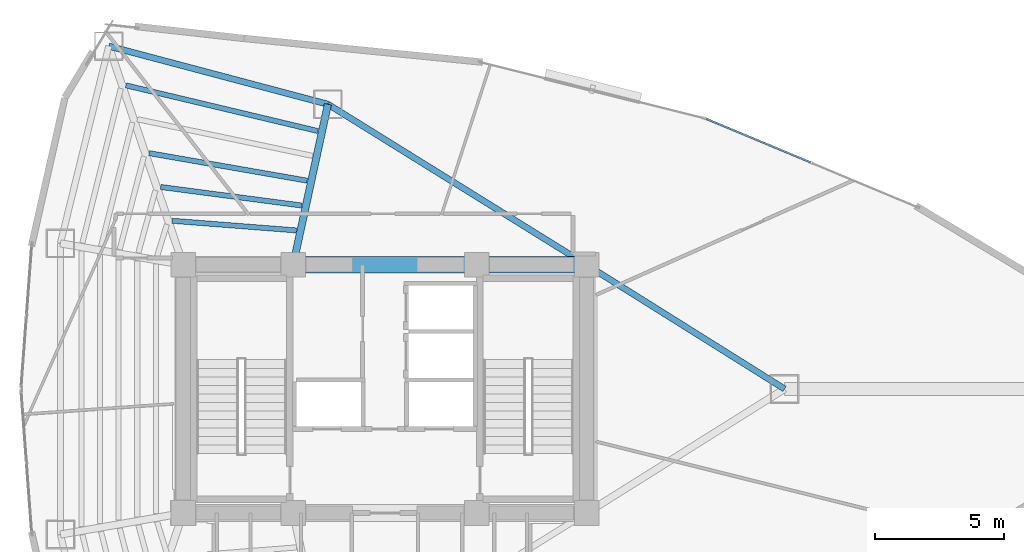
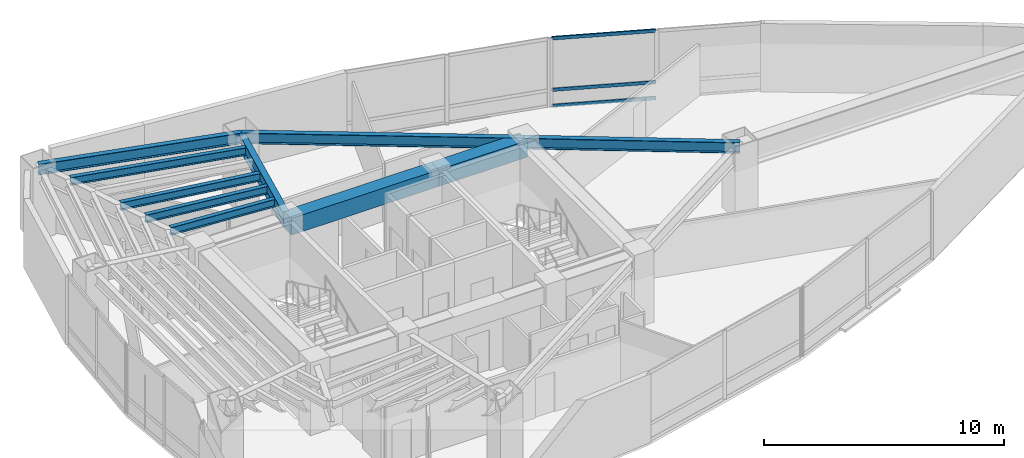
# One storey, part 8 of 18: 10 beams, 3 members, 1 element without a shape of its own.
"""IFC4 building model written with IfcOpenShell, lengths in metres."""

import ifcopenshell
import ifcopenshell.guid

model = None  # the IFC model being written
_history = None  # IfcOwnerHistory: only IFC2X3 demands one
_inside = {}  # id of a spatial element -> (the spatial element, [elements in it])
_under = {}  # id of a project, library or spatial element -> (it, [spatial elements below it])
_declared = {}  # id of a project -> (the project, [libraries it declares])
_typed = {}  # id of a type object -> (the type object, [elements of that type])
_made_of = {}  # id of a material, layer set ... -> (it, [elements and type objects made of it])


def new_model(schema):
    """Start an empty IFC model of exactly this schema.

    Asked for "IFC4X3", IfcOpenShell would pick the latest addendum, in which some entities
    have other attributes; the version numbers below select the first issue.
    IFC2X3 requires an IfcOwnerHistory on every rooted entity: one is made here for all.
    """
    global model, _history
    if schema == "IFC4X3":
        model = ifcopenshell.file(schema_version=(4, 3, 0, 0))
    else:
        model = ifcopenshell.file(schema=schema)
    _inside.clear()
    _under.clear()
    _declared.clear()
    _typed.clear()
    _made_of.clear()
    _history = None
    if model.schema == "IFC2X3":
        org = make("IfcOrganization", Name="unknown")
        user = make(
            "IfcPersonAndOrganization",
            ThePerson=make("IfcPerson", FamilyName="unknown"),
            TheOrganization=org,
        )
        app = make(
            "IfcApplication",
            ApplicationDeveloper=org,
            Version="unknown",
            ApplicationFullName="unknown",
            ApplicationIdentifier="unknown",
        )
        _history = make(
            "IfcOwnerHistory",
            OwningUser=user,
            OwningApplication=app,
            ChangeAction="ADDED",
            CreationDate=0,
        )
    return model


def make(cls, **values):
    """One entity of the class cls with the attributes given. An attribute that is None is left unset."""
    return model.create_entity(
        cls, **{name: value for name, value in values.items() if value is not None}
    )


def rooted(cls, **values):
    """An entity with a GlobalId (a new one), such as an element, a storey or a relation."""
    return make(cls, GlobalId=ifcopenshell.guid.new(), OwnerHistory=_history, **values)


def si_unit(unit_type, name, prefix=None):
    """IfcSIUnit, for example si_unit("LENGTHUNIT", "METRE", prefix="MILLI")."""
    return make("IfcSIUnit", UnitType=unit_type, Prefix=prefix, Name=name)


def assignment(units):
    """IfcUnitAssignment: the units of a project."""
    return None if units is None else make("IfcUnitAssignment", Units=units)


def point(xyz):
    """IfcCartesianPoint."""
    return None if xyz is None else make("IfcCartesianPoint", Coordinates=xyz)


def direction(xyz):
    """IfcDirection."""
    return None if xyz is None else make("IfcDirection", DirectionRatios=xyz)


def frame(location, z_axis=None, x_axis=None):
    """IfcAxis2Placement3D, a coordinate frame: its origin and axes. An axis left out is left unset."""
    return make(
        "IfcAxis2Placement3D",
        Location=point(location),
        Axis=direction(z_axis),
        RefDirection=direction(x_axis),
    )


def frame_2d(location, x_axis=None):
    """IfcAxis2Placement2D, a coordinate frame in the plane: its origin and x axis."""
    return make(
        "IfcAxis2Placement2D", Location=point(location), RefDirection=direction(x_axis)
    )


def origin():
    """The frame at (0, 0, 0) with its axes left unset."""
    return frame((0.0, 0.0, 0.0))


def origin_2d():
    """The frame at (0, 0) in the plane with its x axis left unset."""
    return frame_2d((0.0, 0.0))


def place(relative_to, where):
    """IfcLocalPlacement: puts the frame where relative to a parent placement (None: the world)."""
    return make(
        "IfcLocalPlacement", PlacementRelTo=relative_to, RelativePlacement=where
    )


def context(
    kind, dimensions, precision=None, world=None, true_north=None, identifier=None
):
    """IfcGeometricRepresentationContext, for example the 3D "Model" context."""
    return make(
        "IfcGeometricRepresentationContext",
        ContextIdentifier=identifier,
        ContextType=kind,
        CoordinateSpaceDimension=dimensions,
        Precision=precision,
        WorldCoordinateSystem=world,
        TrueNorth=true_north,
    )


def subcontext(parent, identifier, kind, view, scale=None):
    """IfcGeometricRepresentationSubContext, for example "Body" below "Model"."""
    return make(
        "IfcGeometricRepresentationSubContext",
        ContextIdentifier=identifier,
        ContextType=kind,
        ParentContext=parent,
        TargetScale=scale,
        TargetView=view,
    )


def project(units=None, contexts=None):
    """IfcProject with its units and contexts."""
    return rooted(
        "IfcProject",
        Name="project",
        RepresentationContexts=contexts,
        UnitsInContext=assignment(units),
    )


def spatial(cls, under=None, at=None, **own):
    """A site, building, storey or space (cls), placed at a placement, below another one or the project."""
    s = rooted(cls, ObjectPlacement=at, **own)
    if under is not None:
        _under.setdefault(under.id(), (under, []))[1].append(s)
    return s


def profile(cls, at=None, kind="AREA", **sizes):
    """A parametric profile (cls). Its sizes go by their IFC names, for example OverallWidth=200.0."""
    return make(cls, ProfileType=kind, Position=at, **sizes)


def rectangle(**sizes):
    """IfcRectangleProfileDef."""
    return profile("IfcRectangleProfileDef", **sizes)


def hollow_rectangle(**sizes):
    """IfcRectangleHollowProfileDef."""
    return profile("IfcRectangleHollowProfileDef", **sizes)


def i_section(**sizes):
    """IfcIShapeProfileDef."""
    return profile("IfcIShapeProfileDef", **sizes)


def extrude(swept, where, along, depth):
    """IfcExtrudedAreaSolid: the profile swept, set in the frame where, extruded along a direction by depth."""
    return make(
        "IfcExtrudedAreaSolid",
        SweptArea=swept,
        Position=where,
        ExtrudedDirection=direction(along),
        Depth=depth,
    )


def shape(context_of_items, identifier, shape_type, items):
    """IfcShapeRepresentation: the items that make up one representation, for example the "Body"."""
    return make(
        "IfcShapeRepresentation",
        ContextOfItems=context_of_items,
        RepresentationIdentifier=identifier,
        RepresentationType=shape_type,
        Items=items,
    )


def material(Name=None, Category=None):
    """IfcMaterial."""
    return make("IfcMaterial", Name=Name, Category=Category)


def layer(
    of_material, thickness, ventilated=None, Name=None, Category=None, Priority=None
):
    """IfcMaterialLayer: one layer of a wall or slab, of a material (None: an air gap)."""
    return make(
        "IfcMaterialLayer",
        Material=of_material,
        LayerThickness=thickness,
        IsVentilated=ventilated,
        Name=Name,
        Category=Category,
        Priority=Priority,
    )


def layer_set(layers, Name=None):
    """IfcMaterialLayerSet."""
    return make("IfcMaterialLayerSet", MaterialLayers=layers, LayerSetName=Name)


def material_profile(
    of_material, cross_section, Name=None, Category=None, Priority=None
):
    """IfcMaterialProfile: a cross section and its material."""
    return make(
        "IfcMaterialProfile",
        Name=Name,
        Material=of_material,
        Profile=cross_section,
        Priority=Priority,
        Category=Category,
    )


def profile_set(profiles, Name=None, composite=None):
    """IfcMaterialProfileSet."""
    return make(
        "IfcMaterialProfileSet",
        Name=Name,
        MaterialProfiles=profiles,
        CompositeProfile=composite,
    )


def made_of(thing, what):
    """Note that an element or type object is made of a material, layer set ...; save() writes the relation."""
    if what is not None:
        _made_of.setdefault(what.id(), (what, []))[1].append(thing)
    return thing


def type_object(cls, material=None, **own):
    """A type object (cls), such as IfcWallType, which elements share."""
    return made_of(rooted(cls, **own), material)


def element(
    cls,
    number,
    at=None,
    inside=None,
    cuts=None,
    type_object=None,
    material=None,
    context=None,
    identifier="Body",
    shape_type=None,
    held_by="IfcProductDefinitionShape",
    body=None,
    shapes=None,
    **own,
):
    """One element of the class cls, such as IfcWall. Its Tag is "e" and its number.

    at: its placement. inside: the storey or other place that contains it. cuts: it is an
    opening in that element (IfcRelVoidsElement). A single representation is given by context,
    identifier, shape_type and body (its items); several are given by shapes. held_by: the class
    of the entity that holds the representations. save() writes the other relations.
    """
    e = rooted(cls, Tag="e%d" % number, ObjectPlacement=at, **own)
    if body is not None:
        shapes = [shape(context, identifier, shape_type, body)]
    if shapes is not None:
        e.Representation = make(held_by, Representations=shapes)
    if inside is not None:
        _inside.setdefault(inside.id(), (inside, []))[1].append(e)
    if cuts is not None:
        rooted(
            "IfcRelVoidsElement", RelatingBuildingElement=cuts, RelatedOpeningElement=e
        )
    if type_object is not None:
        _typed.setdefault(type_object.id(), (type_object, []))[1].append(e)
    return made_of(e, material)


def aggregate(whole, parts):
    """IfcRelAggregates: a whole, such as a stair, and the parts it consists of."""
    return rooted("IfcRelAggregates", RelatingObject=whole, RelatedObjects=parts)


def save(model, path):
    """Write the relations noted so far, then the file.

    IfcRelAggregates (storeys below a building ...), IfcRelContainedInSpatialStructure (elements
    in a storey), IfcRelDefinesByType, IfcRelAssociatesMaterial and IfcRelDeclares: one each for
    every whole, place, type object, material and project.
    """
    for whole, parts in _under.values():
        aggregate(whole, parts)
    for where, things in _inside.values():
        rooted(
            "IfcRelContainedInSpatialStructure",
            RelatedElements=things,
            RelatingStructure=where,
        )
    for kind, things in _typed.values():
        rooted("IfcRelDefinesByType", RelatedObjects=things, RelatingType=kind)
    for what, things in _made_of.values():
        rooted("IfcRelAssociatesMaterial", RelatedObjects=things, RelatingMaterial=what)
    for by, libraries in _declared.values():
        rooted("IfcRelDeclares", RelatingContext=by, RelatedDefinitions=libraries)
    model.write(path)


model = new_model("IFC4")

# Units and contexts
model_context = context("Model", 3, precision=1e-05, world=origin(), true_north=direction((0.0, 1.0)))
body_context = subcontext(model_context, "Body", "Model", "MODEL_VIEW")
ifc_project = project(units=[si_unit("LENGTHUNIT", "METRE"), si_unit("AREAUNIT", "SQUARE_METRE"), si_unit("VOLUMEUNIT", "CUBIC_METRE"), si_unit("PLANEANGLEUNIT", "RADIAN"), si_unit("MASSUNIT", "GRAM", prefix="KILO")], contexts=[model_context])

# Site, building, storey
site_placement = place(None, origin())
site = spatial("IfcSite", under=ifc_project, at=site_placement, CompositionType="ELEMENT")
building_placement = place(site_placement, origin())
building = spatial("IfcBuilding", under=site, at=building_placement, Name="Menara Vayukalpa", CompositionType="ELEMENT")
storey_placement = place(building_placement, frame((0.0, 0.0, 165.47998046875)))
storey = spatial("IfcBuildingStorey", under=building, at=storey_placement, Name="L41", CompositionType="ELEMENT", Elevation=165.47998046875)

# Beams
ifc_material_1 = material(Name="Concrete C60/75", Category="concrete")
ifc_material_profile_1 = material_profile(ifc_material_1, rectangle(XDim=0.64990234375, YDim=0.85009765625, at=origin_2d()), Name="RC 650x850")
ifc_profile_set_1 = profile_set([ifc_material_profile_1], Name="Concrete C60/75")
beam_type_1 = type_object("IfcBeamType", Name="BM-CB1", PredefinedType="BEAM", material=ifc_profile_set_1)
beam_1_placement = place(storey_placement, frame((22.050048828125, 26.800048828125, 3.074951171875), z_axis=(1.0, 0.0, 0.0), x_axis=(0.0, 1.0, 0.0)))
element("IfcBeam", 1, at=beam_1_placement, inside=storey, type_object=beam_type_1, Name="L41 Core Tie Beam CBR5", PredefinedType="BEAM", context=body_context, shape_type="SweptSolid", body=[
    extrude(rectangle(XDim=0.64990234375, YDim=0.85009765625, at=origin_2d()), origin(), (0.0, 0.0, 1.0), 7.099853515625),
])
beam_2_placement = place(storey_placement, frame((29.14990234375, 26.800048828125, 3.074951171875), z_axis=(1.0, 0.0, 0.0), x_axis=(0.0, 1.0, 0.0)))
element("IfcBeam", 2, at=beam_2_placement, inside=storey, type_object=beam_type_1, Name="L41 Core Tie Beam CBR6", PredefinedType="BEAM", context=body_context, shape_type="SweptSolid", body=[
    extrude(rectangle(XDim=0.64990234375, YDim=0.85009765625, at=origin_2d()), origin(), (0.0, 0.0, 1.0), 4.25),
])
ifc_material_2 = material(Name="Steel S355", Category="steel")
ifc_material_profile_2 = material_profile(ifc_material_2, i_section(OverallWidth=0.280029296875, OverallDepth=0.75, WebThickness=0.013916015625, FlangeThickness=0.02490234375, at=origin_2d()), Name="WF 750x280x14x25")
ifc_profile_set_2 = profile_set([ifc_material_profile_2], Name="Steel S355")
beam_type_2 = type_object("IfcBeamType", Name="BM-PG4", PredefinedType="BEAM", material=ifc_profile_set_2)
beam_3_placement = place(storey_placement, frame((22.10302734375, 27.044189453125, 3.125), z_axis=(0.211898459532, 0.9772916877, 0.0), x_axis=(-0.9772916877, 0.211898459532, 0.0)))
element("IfcBeam", 3, at=beam_3_placement, inside=storey, type_object=beam_type_2, Name="L41 Primary Radial Girder RG03", PredefinedType="BEAM", context=body_context, shape_type="SweptSolid", body=[
    extrude(i_section(OverallWidth=0.280029296875, OverallDepth=0.75, WebThickness=0.013916015625, FlangeThickness=0.02490234375, at=origin_2d()), origin(), (0.0, 0.0, 1.0), 6.1064453125),
])
ifc_material_3 = material(Name="Steel S355", Category="steel")
ifc_material_profile_3 = material_profile(ifc_material_3, i_section(OverallWidth=0.199951171875, OverallDepth=0.39990234375, WebThickness=0.008056640625, FlangeThickness=0.012939453125, at=origin_2d()), Name="WF 400x200x8x13")
ifc_profile_set_3 = profile_set([ifc_material_profile_3], Name="Steel S355")
beam_type_3 = type_object("IfcBeamType", Name="BM-SJ2", PredefinedType="JOIST", material=ifc_profile_set_3)
beam_4_placement = place(storey_placement, frame((22.176513671875, 28.130859375, 3.300048828125), z_axis=(-0.996983386276, 0.077615252944, 0.0), x_axis=(-0.077615252944, -0.996983386276, 0.0)))
element("IfcBeam", 4, at=beam_4_placement, inside=storey, type_object=beam_type_3, Name="L41 Secondary Floor Joist SJ03-1", PredefinedType="JOIST", context=body_context, shape_type="SweptSolid", body=[
    extrude(i_section(OverallWidth=0.199951171875, OverallDepth=0.39990234375, WebThickness=0.008056640625, FlangeThickness=0.012939453125, at=origin_2d()), origin(), (0.0, 0.0, 1.0), 4.81591796875),
])
beam_5_placement = place(storey_placement, frame((22.38427734375, 29.09423828125, 3.300048828125), z_axis=(-0.991462596105, 0.130391412773, 0.0), x_axis=(-0.130391412773, -0.991462596105, 0.0)))
element("IfcBeam", 5, at=beam_5_placement, inside=storey, type_object=beam_type_3, Name="L41 Secondary Floor Joist SJ03-2", PredefinedType="JOIST", context=body_context, shape_type="SweptSolid", body=[
    extrude(i_section(OverallWidth=0.199951171875, OverallDepth=0.39990234375, WebThickness=0.008056640625, FlangeThickness=0.012939453125, at=origin_2d()), origin(), (0.0, 0.0, 1.0), 5.504638671875),
])
beam_6_placement = place(storey_placement, frame((22.59228515625, 30.0556640625, 3.300048828125), z_axis=(-0.985157431798, 0.171653239334, 0.0), x_axis=(-0.171653239334, -0.985157431798, 0.0)))
element("IfcBeam", 6, at=beam_6_placement, inside=storey, type_object=beam_type_3, Name="L41 Secondary Floor Joist SJ03-3", PredefinedType="JOIST", context=body_context, shape_type="SweptSolid", body=[
    extrude(i_section(OverallWidth=0.199951171875, OverallDepth=0.39990234375, WebThickness=0.008056640625, FlangeThickness=0.012939453125, at=origin_2d()), origin(), (0.0, 0.0, 1.0), 6.206787109375),
])
beam_7_placement = place(storey_placement, frame((23.00830078125, 31.974853515625, 3.300048828125), z_axis=(-0.972815476519, 0.231581624151, 0.0), x_axis=(-0.231581624151, -0.972815476519, 0.0)))
element("IfcBeam", 7, at=beam_7_placement, inside=storey, type_object=beam_type_3, Name="L41 Secondary Floor Joist SJ03-5", PredefinedType="JOIST", context=body_context, shape_type="SweptSolid", body=[
    extrude(i_section(OverallWidth=0.199951171875, OverallDepth=0.39990234375, WebThickness=0.008056640625, FlangeThickness=0.012939453125, at=origin_2d()), origin(), (0.0, 0.0, 1.0), 7.6357421875),
])
ifc_material_4 = material(Name="Steel S355", Category="steel")
ifc_material_profile_4 = material_profile(ifc_material_4, i_section(OverallWidth=0.239990234375, OverallDepth=0.550048828125, WebThickness=0.010986328125, FlangeThickness=0.01904296875, at=origin_2d()), Name="WF 550x240x11x19")
ifc_profile_set_4 = profile_set([ifc_material_profile_4], Name="Steel S355")
beam_type_4 = type_object("IfcBeamType", Name="BM-SP2", PredefinedType="SPANDREL", material=ifc_profile_set_4)
beam_8_placement = place(storey_placement, frame((41.05908203125, 22.0, 3.22509765625), z_axis=(-0.847348220701, 0.531037656739, 0.0), x_axis=(-0.531037656739, -0.847348220701, 0.0)))
element("IfcBeam", 8, at=beam_8_placement, inside=storey, type_object=beam_type_4, Name="L41 Perimeter Spandrel Beam SP01", PredefinedType="SPANDREL", context=body_context, shape_type="SweptSolid", body=[
    extrude(i_section(OverallWidth=0.239990234375, OverallDepth=0.550048828125, WebThickness=0.010986328125, FlangeThickness=0.01904296875, at=origin_2d()), origin(), (0.0, 0.0, 1.0), 9.0390625),
])
beam_9_placement = place(storey_placement, frame((33.39990234375, 26.800048828125, 3.22509765625), z_axis=(-0.849518408464, 0.527558976495, 0.0), x_axis=(-0.527558976495, -0.849518408464, 0.0)))
element("IfcBeam", 9, at=beam_9_placement, inside=storey, type_object=beam_type_4, Name="L41 Perimeter Spandrel Beam SP02", PredefinedType="SPANDREL", context=body_context, shape_type="SweptSolid", body=[
    extrude(i_section(OverallWidth=0.239990234375, OverallDepth=0.550048828125, WebThickness=0.010986328125, FlangeThickness=0.01904296875, at=origin_2d()), origin(), (0.0, 0.0, 1.0), 11.77490234375),
])
beam_10_placement = place(storey_placement, frame((23.39697265625, 33.011962890625, 3.22509765625), z_axis=(-0.96657141455, 0.256397544009, 0.0), x_axis=(-0.256397544009, -0.96657141455, 0.0)))
element("IfcBeam", 10, at=beam_10_placement, inside=storey, type_object=beam_type_4, Name="L41 Perimeter Spandrel Beam SP03", PredefinedType="SPANDREL", context=body_context, shape_type="SweptSolid", body=[
    extrude(i_section(OverallWidth=0.239990234375, OverallDepth=0.550048828125, WebThickness=0.010986328125, FlangeThickness=0.01904296875, at=origin_2d()), origin(), (0.0, 0.0, 1.0), 8.769775390625),
])

# Curtain wall, members
ifc_material_5 = material(Name="Anodised Terracotta Aluminium Alloy 6063-T6", Category="masonry")
ifc_layer = layer(ifc_material_5, 0.179931640625)
ifc_layer_set = layer_set([ifc_layer], Name="Anodised Terracotta Aluminium Alloy 6063-T6")
curtain_wall_type = type_object("IfcCurtainWallType", Name="CW-CW4", PredefinedType="USERDEFINED", material=ifc_layer_set)
curtain_wall_placement = place(storey_placement, origin())
curtain_wall = element("IfcCurtainWall", 11, at=curtain_wall_placement, inside=storey, type_object=curtain_wall_type, Name="L41 Sky Bar Cantilever Glazed Curtain Wall CW4 04", ObjectType="UNITISED", PredefinedType="USERDEFINED")
ifc_material_6 = material(Name="Anodised Terracotta Aluminium Alloy 6063-T6", Category="masonry")
ifc_material_profile_5 = material_profile(ifc_material_6, hollow_rectangle(XDim=0.070068359375, YDim=0.1650390625, WallThickness=0.00390625, at=origin_2d()), Name="ALU 70x165x4")
ifc_profile_set_5 = profile_set([ifc_material_profile_5], Name="Anodised Terracotta Aluminium Alloy 6063-T6")
member_type = type_object("IfcMemberType", Name="CWT-CW4", PredefinedType="USERDEFINED", material=ifc_profile_set_5)
member_1_placement = place(storey_placement, frame((42.063720703125, 30.765869140625, 0.034912109375), z_axis=(-0.922868513183, 0.385115187152, 0.0), x_axis=(-0.385115187152, -0.922868513183, 0.0)))
member_1 = element("IfcMember", 12, at=member_1_placement, type_object=member_type, Name="CW4 transom 2.1", ObjectType="TRANSOM", PredefinedType="USERDEFINED", context=body_context, shape_type="SweptSolid", body=[
    extrude(hollow_rectangle(XDim=0.070068359375, YDim=0.1650390625, WallThickness=0.00390625, at=origin_2d()), origin(), (0.0, 0.0, 1.0), 4.369873046875),
])
member_2_placement = place(storey_placement, frame((42.063720703125, 30.765869140625, 0.85009765625), z_axis=(-0.922868513183, 0.385115187152, 0.0), x_axis=(-0.385115187152, -0.922868513183, 0.0)))
member_2 = element("IfcMember", 13, at=member_2_placement, type_object=member_type, Name="CW4 transom 2.2", ObjectType="TRANSOM", PredefinedType="USERDEFINED", context=body_context, shape_type="SweptSolid", body=[
    extrude(hollow_rectangle(XDim=0.070068359375, YDim=0.1650390625, WallThickness=0.00390625, at=origin_2d()), origin(), (0.0, 0.0, 1.0), 4.369873046875),
])
member_3_placement = place(storey_placement, frame((42.063720703125, 30.765869140625, 3.465087890625), z_axis=(-0.922868513183, 0.385115187152, 0.0), x_axis=(-0.385115187152, -0.922868513183, 0.0)))
member_3 = element("IfcMember", 14, at=member_3_placement, type_object=member_type, Name="CW4 transom 2.3", ObjectType="TRANSOM", PredefinedType="USERDEFINED", context=body_context, shape_type="SweptSolid", body=[
    extrude(hollow_rectangle(XDim=0.070068359375, YDim=0.1650390625, WallThickness=0.00390625, at=origin_2d()), origin(), (0.0, 0.0, 1.0), 4.369873046875),
])
aggregate(curtain_wall, [member_1, member_2, member_3])

save(model, "model.ifc")
